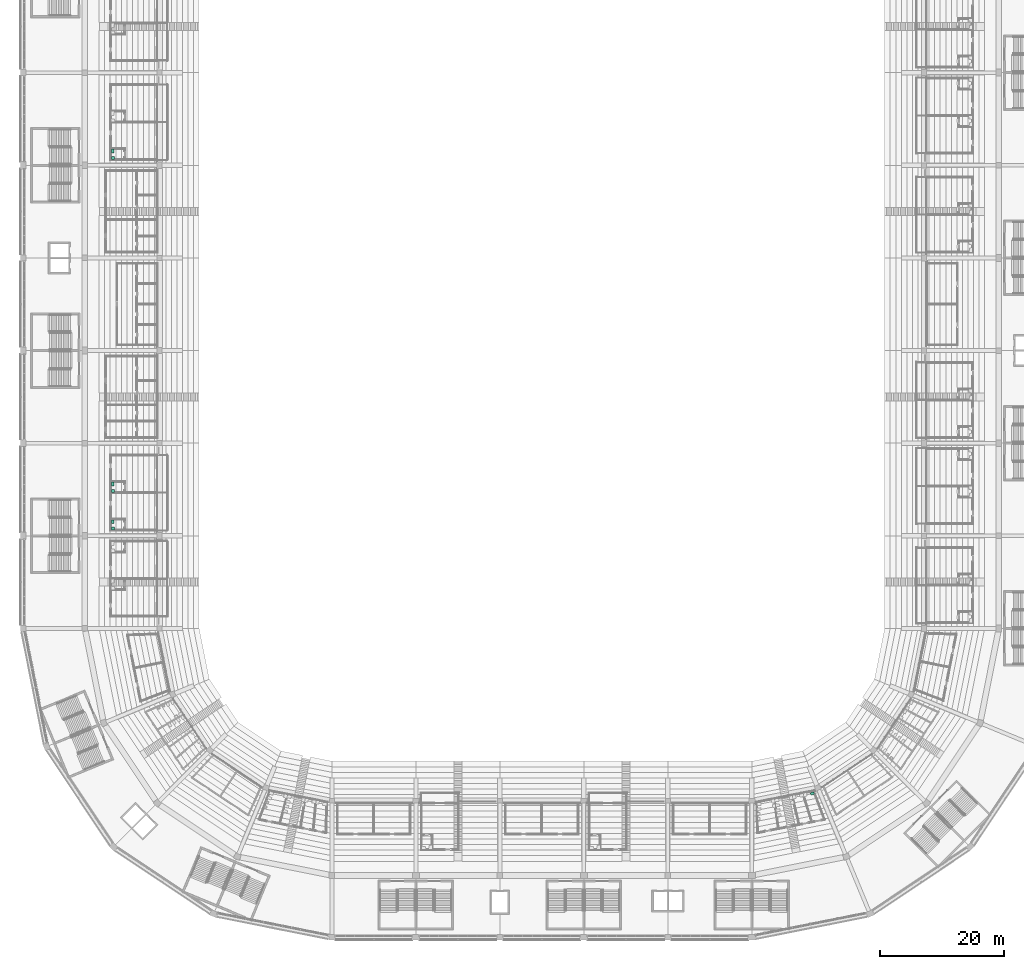
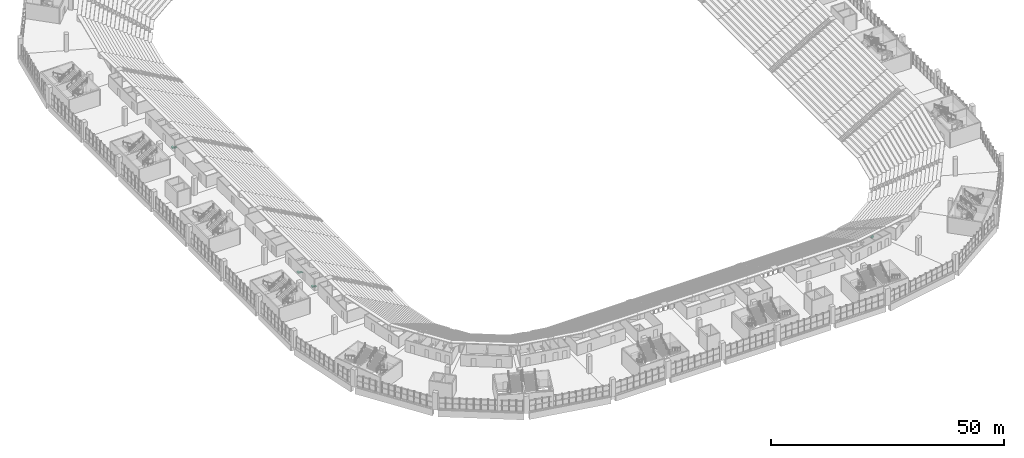
# One storey, part 246 of 249: 7 sanitary terminals.
"""IFC4 building model written with IfcOpenShell, lengths in metres."""

from ifc_helpers import new_model, si_unit, direction, frame, origin, origin_2d, place, context, subcontext, project, spatial, rectangle, extrude, material, type_object, element, save


model = new_model("IFC4")

# Units and contexts
model_context = context("Model", 3, precision=1e-05, world=origin(), true_north=direction((0.0, 1.0)))
body_context = subcontext(model_context, "Body", "Model", "MODEL_VIEW")
ifc_project = project(units=[si_unit("LENGTHUNIT", "METRE"), si_unit("AREAUNIT", "SQUARE_METRE"), si_unit("VOLUMEUNIT", "CUBIC_METRE"), si_unit("PLANEANGLEUNIT", "RADIAN"), si_unit("MASSUNIT", "GRAM", prefix="KILO")], contexts=[model_context])

# Site, building, storey
site_placement = place(None, origin())
site = spatial("IfcSite", under=ifc_project, at=site_placement, CompositionType="ELEMENT")
building_placement = place(site_placement, origin())
building = spatial("IfcBuilding", under=site, at=building_placement, Name="Ogive Plaza Stadium", CompositionType="ELEMENT")
storey_placement = place(building_placement, frame((0.0, 0.0, 13.5)))
storey = spatial("IfcBuildingStorey", under=building, at=storey_placement, Name="L03", CompositionType="ELEMENT", Elevation=13.5)

# Sanitary terminals
ifc_material_1 = material(Name="Vitreous china", Category="ceramic")
sanitary_terminal_type_1 = type_object("IfcSanitaryTerminalType", Name="Lavatory", PredefinedType="WASHHANDBASIN", material=ifc_material_1)
for number, where, z_axis, x_axis, name in (
    (1, (-69.425048828125, -36.300048828125, 0.7998046875), (0.0, 0.0, 1.0), (1.0, 0.0, 0.0), "Lavatory L03-083"),
    (2, (-69.425048828125, -30.22509765625, 0.7998046875), (0.0, 0.0, 1.0), (1.0, 0.0, 0.0), "Lavatory L03-085"),
    (3, (-69.425048828125, 23.699951171875, 0.7998046875), (0.0, 0.0, 1.0), (1.0, 0.0, 0.0), "Lavatory L03-107"),
):
    element("IfcSanitaryTerminal", number, at=place(storey_placement, frame(where, z_axis=z_axis, x_axis=x_axis)), inside=storey, type_object=sanitary_terminal_type_1, Name=name, PredefinedType="WASHHANDBASIN", context=body_context, shape_type="SweptSolid", body=[
        extrude(rectangle(XDim=0.5, YDim=0.449951171875, at=origin_2d()), origin(), (0.0, 0.0, 1.0), 0.199951171875),
    ])
ifc_material_2 = material(Name="Vitreous china", Category="ceramic")
sanitary_terminal_type_2 = type_object("IfcSanitaryTerminalType", Name="Water closet", PredefinedType="TOILETPAN", material=ifc_material_2)
for number, where, z_axis, x_axis, name in (
    (4, (43.785400390625, -79.230224609375, 0.0), (0.0, 0.0, 1.0), (0.353647899459, -0.935378620243, 0.0), "Water closet L03-050"),
    (5, (-69.47509765625, -35.199951171875, 0.0), (0.0, 0.0, 1.0), (1.0, 0.0, 0.0), "Water closet L03-083"),
    (6, (-69.47509765625, -29.125, 0.0), (0.0, 0.0, 1.0), (1.0, 0.0, 0.0), "Water closet L03-085"),
    (7, (-69.47509765625, 24.800048828125, 0.0), (0.0, 0.0, 1.0), (1.0, 0.0, 0.0), "Water closet L03-107"),
):
    element("IfcSanitaryTerminal", number, at=place(storey_placement, frame(where, z_axis=z_axis, x_axis=x_axis)), inside=storey, type_object=sanitary_terminal_type_2, Name=name, PredefinedType="TOILETPAN", context=body_context, shape_type="SweptSolid", body=[
        extrude(rectangle(XDim=0.39990234375, YDim=0.60009765625, at=origin_2d()), origin(), (0.0, 0.0, 1.0), 0.39990234375),
    ])

save(model, "model.ifc")
